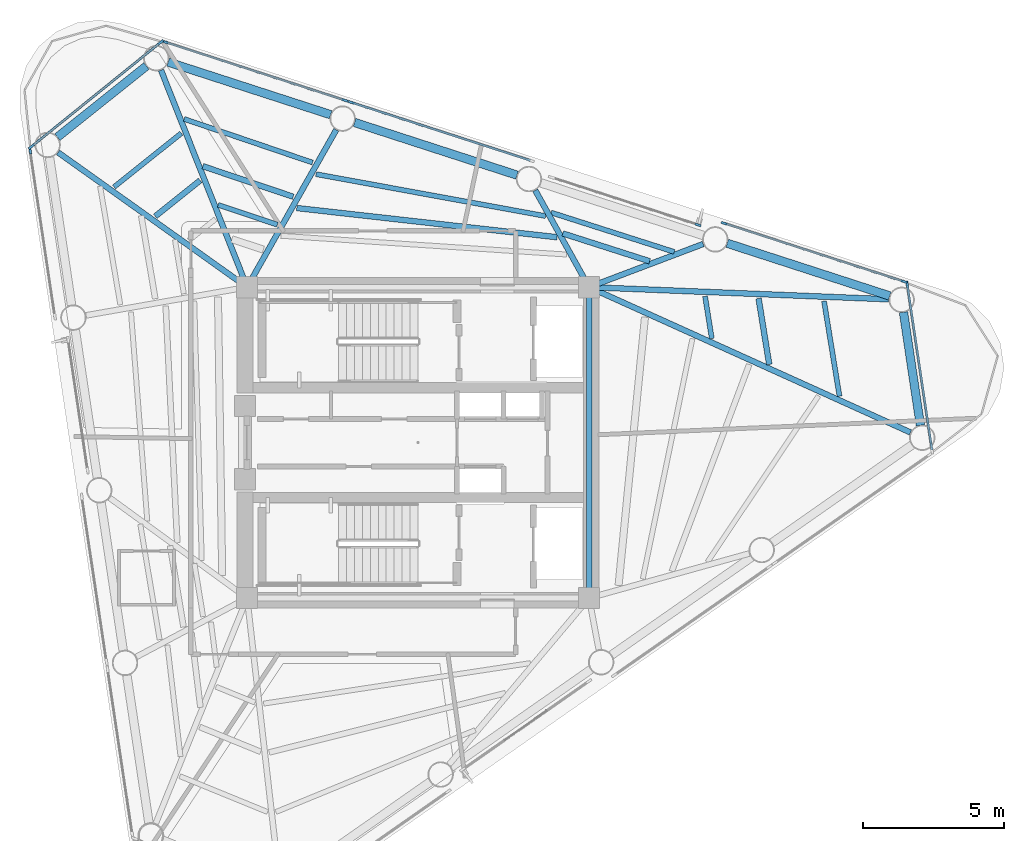
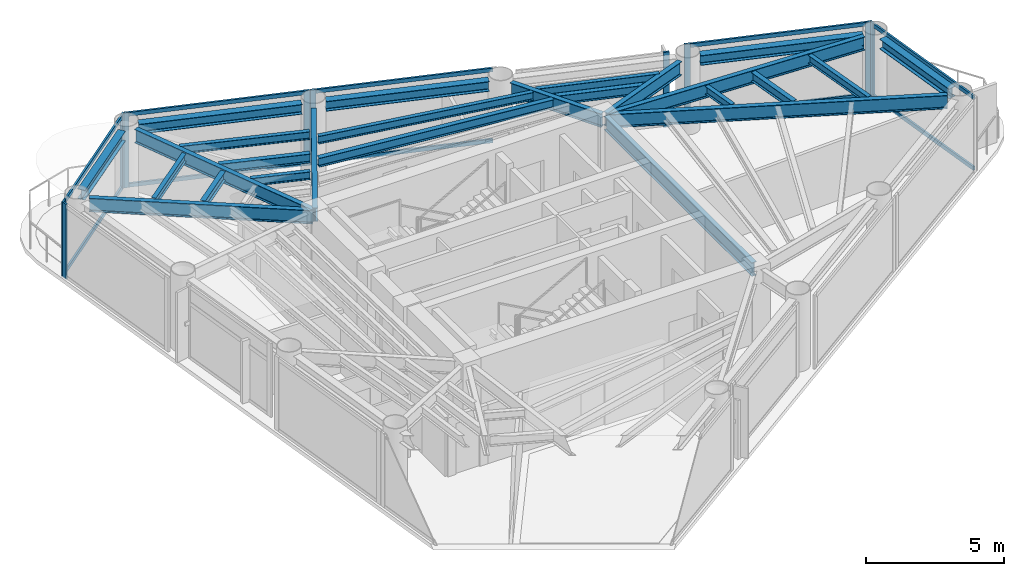
# One storey, part 3 of 10: 25 beams, 20 members, 7 elements without a shape of their own.
"""IFC4 building model written with IfcOpenShell, lengths in metres."""

from ifc_helpers import new_model, si_unit, direction, frame, origin, origin_2d, place, context, subcontext, project, spatial, rectangle, i_section, extrude, source, transform, mapped, material, layer, layer_set, material_profile, profile_set, type_object, element, aggregate, save


model = new_model("IFC4")

# Units and contexts
model_context = context("Model", 3, precision=1e-05, world=origin(), true_north=direction((0.0, 1.0)))
body_context = subcontext(model_context, "Body", "Model", "MODEL_VIEW")
ifc_project = project(units=[si_unit("LENGTHUNIT", "METRE"), si_unit("AREAUNIT", "SQUARE_METRE"), si_unit("VOLUMEUNIT", "CUBIC_METRE"), si_unit("PLANEANGLEUNIT", "RADIAN"), si_unit("MASSUNIT", "GRAM", prefix="KILO")], contexts=[model_context])

# Site, building, storey
site_placement = place(None, origin())
site = spatial("IfcSite", under=ifc_project, at=site_placement, CompositionType="ELEMENT")
building_placement = place(site_placement, origin())
building = spatial("IfcBuilding", under=site, at=building_placement, Name="Yunling Apex Tower", CompositionType="ELEMENT")
storey_placement = place(building_placement, frame((0.0, 0.0, 277.949951171875)))
storey = spatial("IfcBuildingStorey", under=building, at=storey_placement, Name="L68", CompositionType="ELEMENT", Elevation=277.949951171875)

# Beams
ifc_material_1 = material(Name="Steel Q355B", Category="steel")
ifc_material_profile_1 = material_profile(ifc_material_1, i_section(OverallWidth=0.199951171875, OverallDepth=0.60009765625, WebThickness=0.010986328125, FlangeThickness=0.01708984375, FilletRadius=0.02197265625, at=origin_2d()))
ifc_profile_set_1 = profile_set([ifc_material_profile_1], Name="Steel Q355B")
beam_type_1 = type_object("IfcBeamType", Name="BG-PRI-5", PredefinedType="USERDEFINED", material=ifc_profile_set_1)
shared_shape_1 = source(origin(), body_context, "Body", "SweptSolid", [
    extrude(i_section(OverallWidth=0.199951171875, OverallDepth=0.60009765625, WebThickness=0.010986328125, FlangeThickness=0.01708984375, FilletRadius=0.02197265625, at=origin_2d()), origin(), (0.0, 0.0, 1.0), 10.7001953125),
])
beam_1_placement = place(storey_placement, frame((6.050048828125, -5.35009765625, 2.920166015625), z_axis=(0.0, 1.0, 0.0), x_axis=(-1.0, 0.0, 0.0)))
element("IfcBeam", 1, at=beam_1_placement, inside=storey, type_object=beam_type_1, Name="L68 Core Ring Tie Beam 2", ObjectType="GIRDER", PredefinedType="USERDEFINED", context=body_context, shape_type="MappedRepresentation", body=[
    mapped(shared_shape_1, transform((0.0, 0.0, 0.0), scale=1.0)),
])
ifc_material_profile_2 = material_profile(ifc_material_1, i_section(OverallWidth=0.300048828125, OverallDepth=0.43994140625, WebThickness=0.010986328125, FlangeThickness=0.01806640625, FilletRadius=0.02197265625, at=origin_2d()))
ifc_profile_set_2 = profile_set([ifc_material_profile_2], Name="Steel Q355B")
beam_type_2 = type_object("IfcBeamType", Name="BP-SPN-3", PredefinedType="SPANDREL", material=ifc_profile_set_2)
shared_shape_2 = source(origin(), body_context, "Body", "SweptSolid", [
    extrude(i_section(OverallWidth=0.300048828125, OverallDepth=0.43994140625, WebThickness=0.010986328125, FlangeThickness=0.01806640625, FilletRadius=0.02197265625, at=origin_2d()), origin(), (0.0, 0.0, 1.0), 6.043701171875),
])
for number, where, z_axis, x_axis, name in (
    (2, (16.687744140625, 5.189208984375, 3.0), (-0.951260618597, 0.308388124782, 0.0), (-0.308388124782, -0.951260618597, 0.0), "L68 Perimeter Spandrel Beam 6"),
    (3, (3.5, 9.464111328125, 3.0), (-0.951264460229, 0.30837627455, 0.0), (-0.30837627455, -0.951264460229, 0.0), "L68 Perimeter Spandrel Beam 8"),
    (4, (-3.093994140625, 11.601806640625, 3.0), (-0.951276309474, 0.308339720167, 0.0), (-0.308339720167, -0.951276309474, 0.0), "L68 Perimeter Spandrel Beam 9"),
):
    element("IfcBeam", number, at=place(storey_placement, frame(where, z_axis=z_axis, x_axis=x_axis)), inside=storey, type_object=beam_type_2, Name=name, PredefinedType="SPANDREL", context=body_context, shape_type="MappedRepresentation", body=[
        mapped(shared_shape_2, transform((0.0, 0.0, 0.0), scale=1.0)),
    ])
shared_shape_3 = source(origin(), body_context, "Body", "SweptSolid", [
    extrude(i_section(OverallWidth=0.300048828125, OverallDepth=0.43994140625, WebThickness=0.010986328125, FlangeThickness=0.01806640625, FilletRadius=0.02197265625, at=origin_2d()), origin(), (0.0, 0.0, 1.0), 4.047607421875),
])
beam_2_placement = place(storey_placement, frame((17.774169921875, 0.610107421875, 3.0), z_axis=(-0.147836074483, 0.98901187813, 0.0), x_axis=(-0.98901187813, -0.147836074483, 0.0)))
element("IfcBeam", 5, at=beam_2_placement, inside=storey, type_object=beam_type_2, Name="L68 Perimeter Spandrel Beam 5", PredefinedType="SPANDREL", context=body_context, shape_type="MappedRepresentation", body=[
    mapped(shared_shape_3, transform((0.0, 0.0, 0.0), scale=1.0)),
])
shared_shape_4 = source(origin(), body_context, "Body", "SweptSolid", [
    extrude(i_section(OverallWidth=0.300048828125, OverallDepth=0.43994140625, WebThickness=0.010986328125, FlangeThickness=0.01806640625, FilletRadius=0.02197265625, at=origin_2d()), origin(), (0.0, 0.0, 1.0), 4.03125),
])
beam_3_placement = place(storey_placement, frame((-9.612548828125, 13.3251953125, 3.0), z_axis=(-0.781412081213, -0.624015351842, 0.0), x_axis=(0.624015351842, -0.781412081213, 0.0)))
element("IfcBeam", 6, at=beam_3_placement, inside=storey, type_object=beam_type_2, Name="L68 Perimeter Spandrel Beam 10", PredefinedType="SPANDREL", context=body_context, shape_type="MappedRepresentation", body=[
    mapped(shared_shape_4, transform((0.0, 0.0, 0.0), scale=1.0)),
])
shared_shape_5 = source(origin(), body_context, "Body", "SweptSolid", [
    extrude(i_section(OverallWidth=0.199951171875, OverallDepth=0.60009765625, WebThickness=0.010986328125, FlangeThickness=0.01708984375, FilletRadius=0.02197265625, at=origin_2d()), origin(), (0.0, 0.0, 1.0), 12.400146484375),
])
beam_4_placement = place(storey_placement, frame((17.42236328125, 0.359619140625, 2.920166015625), z_axis=(-0.911237617223, 0.411881056809, 0.0), x_axis=(-0.411881056809, -0.911237617223, 0.0)))
element("IfcBeam", 7, at=beam_4_placement, inside=storey, type_object=beam_type_1, Name="L68 Radial Primary Girder R05", ObjectType="GIRDER", PredefinedType="USERDEFINED", context=body_context, shape_type="MappedRepresentation", body=[
    mapped(shared_shape_5, transform((0.0, 0.0, 0.0), scale=1.0)),
])
shared_shape_6 = source(origin(), body_context, "Body", "SweptSolid", [
    extrude(i_section(OverallWidth=0.199951171875, OverallDepth=0.60009765625, WebThickness=0.010986328125, FlangeThickness=0.01708984375, FilletRadius=0.02197265625, at=origin_2d()), origin(), (0.0, 0.0, 1.0), 10.53125),
])
beam_5_placement = place(storey_placement, frame((16.652587890625, 5.07080078125, 2.920166015625), z_axis=(-0.99918143594, 0.040453158992, 0.0), x_axis=(-0.040453158992, -0.99918143594, 0.0)))
element("IfcBeam", 8, at=beam_5_placement, inside=storey, type_object=beam_type_1, Name="L68 Radial Primary Girder R06", ObjectType="GIRDER", PredefinedType="USERDEFINED", context=body_context, shape_type="MappedRepresentation", body=[
    mapped(shared_shape_6, transform((0.0, 0.0, 0.0), scale=1.0)),
])
shared_shape_7 = source(origin(), body_context, "Body", "SweptSolid", [
    extrude(i_section(OverallWidth=0.199951171875, OverallDepth=0.60009765625, WebThickness=0.010986328125, FlangeThickness=0.01708984375, FilletRadius=0.02197265625, at=origin_2d()), origin(), (0.0, 0.0, 1.0), 4.2373046875),
])
beam_6_placement = place(storey_placement, frame((10.087890625, 7.02783203125, 2.920166015625), z_axis=(-0.935290380754, -0.353881199938, 0.0), x_axis=(0.353881199938, -0.935290380754, 0.0)))
element("IfcBeam", 9, at=beam_6_placement, inside=storey, type_object=beam_type_1, Name="L68 Radial Primary Girder R07", ObjectType="GIRDER", PredefinedType="USERDEFINED", context=body_context, shape_type="MappedRepresentation", body=[
    mapped(shared_shape_7, transform((0.0, 0.0, 0.0), scale=1.0)),
])
shared_shape_8 = source(origin(), body_context, "Body", "SweptSolid", [
    extrude(i_section(OverallWidth=0.199951171875, OverallDepth=0.60009765625, WebThickness=0.010986328125, FlangeThickness=0.01708984375, FilletRadius=0.02197265625, at=origin_2d()), origin(), (0.0, 0.0, 1.0), 3.841064453125),
])
beam_7_placement = place(storey_placement, frame((4.144775390625, 8.927001953125, 2.920166015625), z_axis=(0.485864181632, -0.874034322557, 0.0), x_axis=(0.874034322557, 0.485864181632, 0.0)))
element("IfcBeam", 10, at=beam_7_placement, inside=storey, type_object=beam_type_1, Name="L68 Radial Primary Girder R08", ObjectType="GIRDER", PredefinedType="USERDEFINED", context=body_context, shape_type="MappedRepresentation", body=[
    mapped(shared_shape_8, transform((0.0, 0.0, 0.0), scale=1.0)),
])
shared_shape_9 = source(origin(), body_context, "Body", "SweptSolid", [
    extrude(i_section(OverallWidth=0.199951171875, OverallDepth=0.60009765625, WebThickness=0.010986328125, FlangeThickness=0.01708984375, FilletRadius=0.02197265625, at=origin_2d()), origin(), (0.0, 0.0, 1.0), 6.317138671875),
])
beam_8_placement = place(storey_placement, frame((-2.8974609375, 11.06640625, 2.920166015625), z_axis=(-0.492793153417, -0.870146486487, 0.0), x_axis=(0.870146486487, -0.492793153417, 0.0)))
element("IfcBeam", 11, at=beam_8_placement, inside=storey, type_object=beam_type_1, Name="L68 Radial Primary Girder R09", ObjectType="GIRDER", PredefinedType="USERDEFINED", context=body_context, shape_type="MappedRepresentation", body=[
    mapped(shared_shape_9, transform((0.0, 0.0, 0.0), scale=1.0)),
])
shared_shape_10 = source(origin(), body_context, "Body", "SweptSolid", [
    extrude(i_section(OverallWidth=0.199951171875, OverallDepth=0.60009765625, WebThickness=0.010986328125, FlangeThickness=0.01708984375, FilletRadius=0.02197265625, at=origin_2d()), origin(), (0.0, 0.0, 1.0), 8.178955078125),
])
beam_9_placement = place(storey_placement, frame((-9.0966796875, 13.176513671875, 2.920166015625), z_axis=(0.368888092437, -0.929473816338, 0.0), x_axis=(0.929473816338, 0.368888092437, 0.0)))
element("IfcBeam", 12, at=beam_9_placement, inside=storey, type_object=beam_type_1, Name="L68 Radial Primary Girder R10", ObjectType="GIRDER", PredefinedType="USERDEFINED", context=body_context, shape_type="MappedRepresentation", body=[
    mapped(shared_shape_10, transform((0.0, 0.0, 0.0), scale=1.0)),
])
shared_shape_11 = source(origin(), body_context, "Body", "SweptSolid", [
    extrude(i_section(OverallWidth=0.199951171875, OverallDepth=0.60009765625, WebThickness=0.010986328125, FlangeThickness=0.01708984375, FilletRadius=0.02197265625, at=origin_2d()), origin(), (0.0, 0.0, 1.0), 8.132080078125),
])
beam_10_placement = place(storey_placement, frame((-12.73681640625, 10.2666015625, 2.920166015625), z_axis=(0.814294994921, -0.580451256564, 0.0), x_axis=(0.580451256564, 0.814294994921, 0.0)))
element("IfcBeam", 13, at=beam_10_placement, inside=storey, type_object=beam_type_1, Name="L68 Radial Primary Girder R11", ObjectType="GIRDER", PredefinedType="USERDEFINED", context=body_context, shape_type="MappedRepresentation", body=[
    mapped(shared_shape_11, transform((0.0, 0.0, 0.0), scale=1.0)),
])
ifc_material_profile_3 = material_profile(ifc_material_1, i_section(OverallWidth=0.199951171875, OverallDepth=0.39990234375, WebThickness=0.008056640625, FlangeThickness=0.012939453125, FilletRadius=0.01611328125, at=origin_2d()))
ifc_profile_set_3 = profile_set([ifc_material_profile_3], Name="Steel Q355B")
beam_type_3 = type_object("IfcBeamType", Name="BS-SEC-4", PredefinedType="BEAM", material=ifc_profile_set_3)
shared_shape_12 = source(origin(), body_context, "Body", "SweptSolid", [
    extrude(i_section(OverallWidth=0.199951171875, OverallDepth=0.39990234375, WebThickness=0.008056640625, FlangeThickness=0.012939453125, FilletRadius=0.01611328125, at=origin_2d()), origin(), (0.0, 0.0, 1.0), 2.36572265625),
])
beam_11_placement = place(storey_placement, frame((12.425048828125, 2.764892578125, 3.02001953125), z_axis=(-0.159342756426, 0.987223321227, 0.0), x_axis=(-0.987223321227, -0.159342756426, 0.0)))
element("IfcBeam", 14, at=beam_11_placement, inside=storey, type_object=beam_type_3, Name="L68 Composite Floor Beam BS-5", PredefinedType="BEAM", context=body_context, shape_type="MappedRepresentation", body=[
    mapped(shared_shape_12, transform((0.0, 0.0, 0.0), scale=1.0)),
])
ifc_material_profile_4 = material_profile(ifc_material_1, i_section(OverallWidth=0.175048828125, OverallDepth=0.35009765625, WebThickness=0.007080078125, FlangeThickness=0.010986328125, FilletRadius=0.013916015625, at=origin_2d()))
ifc_profile_set_4 = profile_set([ifc_material_profile_4], Name="Steel Q355B")
beam_type_4 = type_object("IfcBeamType", Name="BJ-JST-1", PredefinedType="JOIST", material=ifc_profile_set_4)
shared_shape_13 = source(origin(), body_context, "Body", "SweptSolid", [
    extrude(i_section(OverallWidth=0.175048828125, OverallDepth=0.35009765625, WebThickness=0.007080078125, FlangeThickness=0.010986328125, FilletRadius=0.013916015625, at=origin_2d()), origin(), (0.0, 0.0, 1.0), 3.40966796875),
])
beam_12_placement = place(storey_placement, frame((14.910888671875, 1.64111328125, 3.045166015625), z_axis=(-0.160600982695, 0.987019414377, 0.0), x_axis=(-0.987019414377, -0.160600982695, 0.0)))
element("IfcBeam", 15, at=beam_12_placement, inside=storey, type_object=beam_type_4, Name="L68 Composite Floor Joist BJ1-5", PredefinedType="JOIST", context=body_context, shape_type="MappedRepresentation", body=[
    mapped(shared_shape_13, transform((0.0, 0.0, 0.0), scale=1.0)),
])
shared_shape_14 = source(origin(), body_context, "Body", "SweptSolid", [
    extrude(i_section(OverallWidth=0.175048828125, OverallDepth=0.35009765625, WebThickness=0.007080078125, FlangeThickness=0.010986328125, FilletRadius=0.013916015625, at=origin_2d()), origin(), (0.0, 0.0, 1.0), 1.51171875),
])
beam_13_placement = place(storey_placement, frame((10.3916015625, 3.68408203125, 3.045166015625), z_axis=(-0.157297614413, 0.987551244493, 0.0), x_axis=(-0.987551244493, -0.157297614413, 0.0)))
element("IfcBeam", 16, at=beam_13_placement, inside=storey, type_object=beam_type_4, Name="L68 Composite Floor Joist BJ3-5", PredefinedType="JOIST", context=body_context, shape_type="MappedRepresentation", body=[
    mapped(shared_shape_14, transform((0.0, 0.0, 0.0), scale=1.0)),
])
shared_shape_15 = source(origin(), body_context, "Body", "SweptSolid", [
    extrude(i_section(OverallWidth=0.199951171875, OverallDepth=0.39990234375, WebThickness=0.008056640625, FlangeThickness=0.012939453125, FilletRadius=0.01611328125, at=origin_2d()), origin(), (0.0, 0.0, 1.0), 3.22705078125),
])
beam_14_placement = place(storey_placement, frame((8.191650390625, 6.416748046875, 3.02001953125), z_axis=(-0.952339781695, 0.305039243708, 0.0), x_axis=(-0.305039243708, -0.952339781695, 0.0)))
element("IfcBeam", 17, at=beam_14_placement, inside=storey, type_object=beam_type_3, Name="L68 Composite Floor Beam BS-7", PredefinedType="BEAM", context=body_context, shape_type="MappedRepresentation", body=[
    mapped(shared_shape_15, transform((0.0, 0.0, 0.0), scale=1.0)),
])
shared_shape_16 = source(origin(), body_context, "Body", "SweptSolid", [
    extrude(i_section(OverallWidth=0.175048828125, OverallDepth=0.35009765625, WebThickness=0.007080078125, FlangeThickness=0.010986328125, FilletRadius=0.013916015625, at=origin_2d()), origin(), (0.0, 0.0, 1.0), 4.572998046875),
])
beam_15_placement = place(storey_placement, frame((9.0634765625, 6.74658203125, 3.045166015625), z_axis=(-0.952472485452, 0.304624628776, 0.0), x_axis=(-0.304624628776, -0.952472485452, 0.0)))
element("IfcBeam", 18, at=beam_15_placement, inside=storey, type_object=beam_type_4, Name="L68 Composite Floor Joist BJ1-7", PredefinedType="JOIST", context=body_context, shape_type="MappedRepresentation", body=[
    mapped(shared_shape_16, transform((0.0, 0.0, 0.0), scale=1.0)),
])
shared_shape_17 = source(origin(), body_context, "Body", "SweptSolid", [
    extrude(i_section(OverallWidth=0.199951171875, OverallDepth=0.39990234375, WebThickness=0.008056640625, FlangeThickness=0.012939453125, FilletRadius=0.01611328125, at=origin_2d()), origin(), (0.0, 0.0, 1.0), 9.271728515625),
])
beam_16_placement = place(storey_placement, frame((4.9189453125, 7.266357421875, 3.02001953125), z_axis=(-0.993765641634, 0.111489234941, 0.0), x_axis=(-0.111489234941, -0.993765641634, 0.0)))
element("IfcBeam", 19, at=beam_16_placement, inside=storey, type_object=beam_type_3, Name="L68 Composite Floor Beam BS-8", PredefinedType="BEAM", context=body_context, shape_type="MappedRepresentation", body=[
    mapped(shared_shape_17, transform((0.0, 0.0, 0.0), scale=1.0)),
])
shared_shape_18 = source(origin(), body_context, "Body", "SweptSolid", [
    extrude(i_section(OverallWidth=0.175048828125, OverallDepth=0.35009765625, WebThickness=0.007080078125, FlangeThickness=0.010986328125, FilletRadius=0.013916015625, at=origin_2d()), origin(), (0.0, 0.0, 1.0), 8.256103515625),
])
beam_17_placement = place(storey_placement, frame((4.510009765625, 8.015625, 3.045166015625), z_axis=(-0.983737162393, 0.179614017626, 0.0), x_axis=(-0.179614017626, -0.983737162393, 0.0)))
element("IfcBeam", 20, at=beam_17_placement, inside=storey, type_object=beam_type_4, Name="L68 Composite Floor Joist BJ1-8", PredefinedType="JOIST", context=body_context, shape_type="MappedRepresentation", body=[
    mapped(shared_shape_18, transform((0.0, 0.0, 0.0), scale=1.0)),
])
shared_shape_19 = source(origin(), body_context, "Body", "SweptSolid", [
    extrude(i_section(OverallWidth=0.199951171875, OverallDepth=0.39990234375, WebThickness=0.008056640625, FlangeThickness=0.012939453125, FilletRadius=0.01611328125, at=origin_2d()), origin(), (0.0, 0.0, 1.0), 3.37646484375),
])
beam_18_placement = place(storey_placement, frame((-4.418701171875, 8.698974609375, 3.02001953125), z_axis=(-0.947337172377, 0.320237851966, 0.0), x_axis=(-0.320237851966, -0.947337172377, 0.0)))
element("IfcBeam", 21, at=beam_18_placement, inside=storey, type_object=beam_type_3, Name="L68 Composite Floor Beam BS-9", PredefinedType="BEAM", context=body_context, shape_type="MappedRepresentation", body=[
    mapped(shared_shape_19, transform((0.0, 0.0, 0.0), scale=1.0)),
])
shared_shape_20 = source(origin(), body_context, "Body", "SweptSolid", [
    extrude(i_section(OverallWidth=0.175048828125, OverallDepth=0.35009765625, WebThickness=0.007080078125, FlangeThickness=0.010986328125, FilletRadius=0.013916015625, at=origin_2d()), origin(), (0.0, 0.0, 1.0), 4.802490234375),
])
beam_19_placement = place(storey_placement, frame((-3.73388671875, 9.908447265625, 3.045166015625), z_axis=(-0.946894147211, 0.32154544621, 0.0), x_axis=(-0.32154544621, -0.946894147211, 0.0)))
element("IfcBeam", 22, at=beam_19_placement, inside=storey, type_object=beam_type_4, Name="L68 Composite Floor Joist BJ1-9", PredefinedType="JOIST", context=body_context, shape_type="MappedRepresentation", body=[
    mapped(shared_shape_20, transform((0.0, 0.0, 0.0), scale=1.0)),
])
shared_shape_21 = source(origin(), body_context, "Body", "SweptSolid", [
    extrude(i_section(OverallWidth=0.175048828125, OverallDepth=0.35009765625, WebThickness=0.007080078125, FlangeThickness=0.010986328125, FilletRadius=0.013916015625, at=origin_2d()), origin(), (0.0, 0.0, 1.0), 2.209716796875),
])
beam_20_placement = place(storey_placement, frame((-4.979248046875, 7.709228515625, 3.045166015625), z_axis=(-0.948029450248, 0.318182591389, 0.0), x_axis=(-0.318182591389, -0.948029450248, 0.0)))
element("IfcBeam", 23, at=beam_20_placement, inside=storey, type_object=beam_type_4, Name="L68 Composite Floor Joist BJ3-9", PredefinedType="JOIST", context=body_context, shape_type="MappedRepresentation", body=[
    mapped(shared_shape_21, transform((0.0, 0.0, 0.0), scale=1.0)),
])
shared_shape_22 = source(origin(), body_context, "Body", "SweptSolid", [
    extrude(i_section(OverallWidth=0.199951171875, OverallDepth=0.39990234375, WebThickness=0.008056640625, FlangeThickness=0.012939453125, FilletRadius=0.01611328125, at=origin_2d()), origin(), (0.0, 0.0, 1.0), 2.032958984375),
])
beam_21_placement = place(storey_placement, frame((-7.712890625, 9.275634765625, 3.02001953125), z_axis=(-0.781161617118, -0.624328862013, 0.0), x_axis=(0.624328862013, -0.781161617118, 0.0)))
element("IfcBeam", 24, at=beam_21_placement, inside=storey, type_object=beam_type_3, Name="L68 Composite Floor Beam BS-10", PredefinedType="BEAM", context=body_context, shape_type="MappedRepresentation", body=[
    mapped(shared_shape_22, transform((0.0, 0.0, 0.0), scale=1.0)),
])
shared_shape_23 = source(origin(), body_context, "Body", "SweptSolid", [
    extrude(i_section(OverallWidth=0.175048828125, OverallDepth=0.35009765625, WebThickness=0.007080078125, FlangeThickness=0.010986328125, FilletRadius=0.013916015625, at=origin_2d()), origin(), (0.0, 0.0, 1.0), 3.048095703125),
])
beam_22_placement = place(storey_placement, frame((-8.376708984375, 10.947998046875, 3.045166015625), z_axis=(-0.78115784601, -0.624333580401, 0.0), x_axis=(0.624333580401, -0.78115784601, 0.0)))
element("IfcBeam", 25, at=beam_22_placement, inside=storey, type_object=beam_type_4, Name="L68 Composite Floor Joist BJ1-10", PredefinedType="JOIST", context=body_context, shape_type="MappedRepresentation", body=[
    mapped(shared_shape_23, transform((0.0, 0.0, 0.0), scale=1.0)),
])

# Curtain wall, member
ifc_material_2 = material(Name="Bronze anodised aluminium", Category="aluminium")
ifc_layer = layer(ifc_material_2, 0.219970703125)
ifc_layer_set = layer_set([ifc_layer], Name="Bronze anodised aluminium")
curtain_wall_type = type_object("IfcCurtainWallType", Name="CW-SYS-4", PredefinedType="NOTDEFINED", material=ifc_layer_set)
curtain_wall_1_placement = place(storey_placement, origin())
curtain_wall_1 = element("IfcCurtainWall", 26, at=curtain_wall_1_placement, inside=storey, type_object=curtain_wall_type, Name="CW-L68-CRN1", PredefinedType="NOTDEFINED")
ifc_material_profile_5 = material_profile(ifc_material_2, rectangle(XDim=0.080078125, YDim=0.219970703125, at=origin_2d()))
ifc_profile_set_5 = profile_set([ifc_material_profile_5], Name="Bronze anodised aluminium")
member_type_1 = type_object("IfcMemberType", Name="CW-MUL-4", PredefinedType="MULLION", material=ifc_profile_set_5)
shared_shape_24 = source(origin(), body_context, "Body", "SweptSolid", [
    extrude(rectangle(XDim=0.080078125, YDim=0.219970703125, at=origin_2d()), origin(), (0.0, 0.0, 1.0), 3.320068359375),
])
member_1_placement = place(storey_placement, frame((17.307373046875, 5.6025390625, -0.050048828125), z_axis=(0.0, 0.0, 1.0), x_axis=(-0.989016885218, -0.147802573571, 0.0)))
member_1 = element("IfcMember", 27, at=member_1_placement, type_object=member_type_1, Name="CW-SYS-4 mullion 2", PredefinedType="MULLION", context=body_context, shape_type="MappedRepresentation", body=[
    mapped(shared_shape_24, transform((0.0, 0.0, 0.0), scale=1.0)),
])

# Curtain wall, members
curtain_wall_2_placement = place(storey_placement, origin())
curtain_wall_2 = element("IfcCurtainWall", 28, at=curtain_wall_2_placement, inside=storey, type_object=curtain_wall_type, Name="CW-L68-F2-B1", PredefinedType="NOTDEFINED")
member_2_placement = place(storey_placement, frame((17.193359375, 5.6982421875, -0.050048828125), z_axis=(0.0, 0.0, 1.0), x_axis=(-0.308353381834, -0.951271881173, 0.0)))
member_2 = element("IfcMember", 29, at=member_2_placement, type_object=member_type_1, Name="CW-SYS-4 mullion 1", PredefinedType="MULLION", context=body_context, shape_type="MappedRepresentation", body=[
    mapped(shared_shape_24, transform((0.0, 0.0, 0.0), scale=1.0)),
])
member_3_placement = place(storey_placement, frame((10.82763671875, 7.76171875, -0.050048828125), z_axis=(0.0, 0.0, 1.0), x_axis=(-0.308353381834, -0.951271881173, 0.0)))
member_3 = element("IfcMember", 30, at=member_3_placement, type_object=member_type_1, Name="CW-SYS-4 mullion 2", PredefinedType="MULLION", context=body_context, shape_type="MappedRepresentation", body=[
    mapped(shared_shape_24, transform((0.0, 0.0, 0.0), scale=1.0)),
])

# Curtain wall, member
curtain_wall_3_placement = place(storey_placement, origin())
curtain_wall_3 = element("IfcCurtainWall", 31, at=curtain_wall_3_placement, inside=storey, type_object=curtain_wall_type, Name="CW-L68-F2-B2", PredefinedType="NOTDEFINED")
member_4_placement = place(storey_placement, frame((9.90478515625, 7.703369140625, -0.050048828125), z_axis=(0.0, 0.0, 1.0), x_axis=(-0.30836941685, -0.951266683297, 0.0)))
member_4 = element("IfcMember", 32, at=member_4_placement, type_object=member_type_1, Name="CW-SYS-4 mullion 1", PredefinedType="MULLION", context=body_context, shape_type="MappedRepresentation", body=[
    mapped(shared_shape_24, transform((0.0, 0.0, 0.0), scale=1.0)),
])
aggregate(curtain_wall_3, [member_4])

curtain_wall_4_placement = place(storey_placement, origin())
curtain_wall_4 = element("IfcCurtainWall", 33, at=curtain_wall_4_placement, inside=storey, type_object=curtain_wall_type, Name="CW-L68-F2-B3", PredefinedType="NOTDEFINED")
member_5_placement = place(storey_placement, frame((-2.360107421875, 12.03662109375, -0.050048828125), z_axis=(0.0, 0.0, 1.0), x_axis=(-0.308371076658, -0.95126614524, 0.0)))
member_5 = element("IfcMember", 34, at=member_5_placement, type_object=member_type_1, Name="CW-SYS-4 mullion 2", PredefinedType="MULLION", context=body_context, shape_type="MappedRepresentation", body=[
    mapped(shared_shape_24, transform((0.0, 0.0, 0.0), scale=1.0)),
])

# Curtain wall, members
curtain_wall_5_placement = place(storey_placement, origin())
curtain_wall_5 = element("IfcCurtainWall", 35, at=curtain_wall_5_placement, inside=storey, type_object=curtain_wall_type, Name="CW-L68-F2-B4", PredefinedType="NOTDEFINED")
member_6_placement = place(storey_placement, frame((-2.58837890625, 12.110595703125, -0.050048828125), z_axis=(0.0, 0.0, 1.0), x_axis=(-0.308353381834, -0.951271881173, 0.0)))
member_6 = element("IfcMember", 36, at=member_6_placement, type_object=member_type_1, Name="CW-SYS-4 mullion 1", PredefinedType="MULLION", context=body_context, shape_type="MappedRepresentation", body=[
    mapped(shared_shape_24, transform((0.0, 0.0, 0.0), scale=1.0)),
])
member_7_placement = place(storey_placement, frame((-8.9541015625, 14.174072265625, -0.050048828125), z_axis=(0.0, 0.0, 1.0), x_axis=(-0.308353381834, -0.951271881173, 0.0)))
member_7 = element("IfcMember", 37, at=member_7_placement, type_object=member_type_1, Name="CW-SYS-4 mullion 2", PredefinedType="MULLION", context=body_context, shape_type="MappedRepresentation", body=[
    mapped(shared_shape_24, transform((0.0, 0.0, 0.0), scale=1.0)),
])

curtain_wall_6_placement = place(storey_placement, origin())
curtain_wall_6 = element("IfcCurtainWall", 38, at=curtain_wall_6_placement, inside=storey, type_object=curtain_wall_type, Name="CW-L68-CRN2", PredefinedType="NOTDEFINED")
member_8_placement = place(storey_placement, frame((-9.10546875, 14.1669921875, -0.050048828125), z_axis=(0.0, 0.0, 1.0), x_axis=(0.627988675266, -0.778222477019, 0.0)))
member_8 = element("IfcMember", 39, at=member_8_placement, type_object=member_type_1, Name="CW-SYS-4 mullion 1", PredefinedType="MULLION", context=body_context, shape_type="MappedRepresentation", body=[
    mapped(shared_shape_24, transform((0.0, 0.0, 0.0), scale=1.0)),
])
member_9_placement = place(storey_placement, frame((-13.69189453125, 10.4658203125, -0.050048828125), z_axis=(0.0, 0.0, 1.0), x_axis=(0.627988675266, -0.778222477019, 0.0)))
member_9 = element("IfcMember", 40, at=member_9_placement, type_object=member_type_1, Name="CW-SYS-4 mullion 2", PredefinedType="MULLION", context=body_context, shape_type="MappedRepresentation", body=[
    mapped(shared_shape_24, transform((0.0, 0.0, 0.0), scale=1.0)),
])

# Curtain wall, member
curtain_wall_7_placement = place(storey_placement, origin())
curtain_wall_7 = element("IfcCurtainWall", 41, at=curtain_wall_7_placement, inside=storey, type_object=curtain_wall_type, Name="CW-L68-F3-B1", PredefinedType="NOTDEFINED")
member_10_placement = place(storey_placement, frame((-13.72509765625, 10.3193359375, -0.050048828125), z_axis=(0.0, 0.0, 1.0), x_axis=(0.989016174309, 0.147807330522, 0.0)))
member_10 = element("IfcMember", 42, at=member_10_placement, type_object=member_type_1, Name="CW-SYS-4 mullion 1", PredefinedType="MULLION", context=body_context, shape_type="MappedRepresentation", body=[
    mapped(shared_shape_24, transform((0.0, 0.0, 0.0), scale=1.0)),
])
aggregate(curtain_wall_7, [member_10])

# Member
ifc_material_profile_6 = material_profile(ifc_material_2, rectangle(XDim=0.080078125, YDim=0.169921875, at=origin_2d()))
ifc_profile_set_6 = profile_set([ifc_material_profile_6], Name="Bronze anodised aluminium")
member_type_2 = type_object("IfcMemberType", Name="CW-TRN-4", PredefinedType="USERDEFINED", material=ifc_profile_set_6)
shared_shape_25 = source(origin(), body_context, "Body", "SweptSolid", [
    extrude(rectangle(XDim=0.080078125, YDim=0.169921875, at=origin_2d()), origin(), (0.0, 0.0, 1.0), 6.61962890625),
])
member_11_placement = place(storey_placement, frame((-2.622802734375, 12.121826171875, 0.0400390625), z_axis=(-0.951269317575, 0.308361290437, 0.0), x_axis=(-0.308361290437, -0.951269317575, 0.0)))
member_11 = element("IfcMember", 43, at=member_11_placement, type_object=member_type_2, Name="CW-SYS-4 transom 1.1", ObjectType="TRANSOM", PredefinedType="USERDEFINED", context=body_context, shape_type="MappedRepresentation", body=[
    mapped(shared_shape_25, transform((0.0, 0.0, 0.0), scale=1.0)),
])

member_12_placement = place(storey_placement, frame((-2.622802734375, 12.121826171875, 3.179931640625), z_axis=(-0.951269317575, 0.308361290437, 0.0), x_axis=(-0.308361290437, -0.951269317575, 0.0)))
member_12 = element("IfcMember", 44, at=member_12_placement, type_object=member_type_2, Name="CW-SYS-4 transom 1.2", ObjectType="TRANSOM", PredefinedType="USERDEFINED", context=body_context, shape_type="MappedRepresentation", body=[
    mapped(shared_shape_25, transform((0.0, 0.0, 0.0), scale=1.0)),
])

aggregate(curtain_wall_5, [member_6, member_7, member_11, member_12])

shared_shape_26 = source(origin(), body_context, "Body", "SweptSolid", [
    extrude(rectangle(XDim=0.080078125, YDim=0.169921875, at=origin_2d()), origin(), (0.0, 0.0, 1.0), 6.619873046875),
])
member_13_placement = place(storey_placement, frame((17.1591796875, 5.709228515625, 0.0400390625), z_axis=(-0.951272824274, 0.308350472348, 0.0), x_axis=(-0.308350472348, -0.951272824274, 0.0)))
member_13 = element("IfcMember", 45, at=member_13_placement, type_object=member_type_2, Name="CW-SYS-4 transom 1.1", ObjectType="TRANSOM", PredefinedType="USERDEFINED", context=body_context, shape_type="MappedRepresentation", body=[
    mapped(shared_shape_26, transform((0.0, 0.0, 0.0), scale=1.0)),
])

member_14_placement = place(storey_placement, frame((17.1591796875, 5.709228515625, 3.179931640625), z_axis=(-0.951272824274, 0.308350472348, 0.0), x_axis=(-0.308350472348, -0.951272824274, 0.0)))
member_14 = element("IfcMember", 46, at=member_14_placement, type_object=member_type_2, Name="CW-SYS-4 transom 1.2", ObjectType="TRANSOM", PredefinedType="USERDEFINED", context=body_context, shape_type="MappedRepresentation", body=[
    mapped(shared_shape_26, transform((0.0, 0.0, 0.0), scale=1.0)),
])

aggregate(curtain_wall_2, [member_2, member_3, member_13, member_14])

member_15_placement = place(storey_placement, frame((3.97119140625, 9.984130859375, 0.0400390625), z_axis=(-0.951258498664, 0.308394663895, 0.0), x_axis=(-0.308394663895, -0.951258498664, 0.0)))
member_15 = element("IfcMember", 47, at=member_15_placement, type_object=member_type_2, Name="CW-SYS-4 transom 1.1", ObjectType="TRANSOM", PredefinedType="USERDEFINED", context=body_context, shape_type="MappedRepresentation", body=[
    mapped(shared_shape_26, transform((0.0, 0.0, 0.0), scale=1.0)),
])

member_16_placement = place(storey_placement, frame((3.97119140625, 9.984130859375, 3.179931640625), z_axis=(-0.951258498664, 0.308394663895, 0.0), x_axis=(-0.308394663895, -0.951258498664, 0.0)))
member_16 = element("IfcMember", 48, at=member_16_placement, type_object=member_type_2, Name="CW-SYS-4 transom 1.2", ObjectType="TRANSOM", PredefinedType="USERDEFINED", context=body_context, shape_type="MappedRepresentation", body=[
    mapped(shared_shape_26, transform((0.0, 0.0, 0.0), scale=1.0)),
])

aggregate(curtain_wall_4, [member_5, member_15, member_16])

shared_shape_27 = source(origin(), body_context, "Body", "SweptSolid", [
    extrude(rectangle(XDim=0.080078125, YDim=0.169921875, at=origin_2d()), origin(), (0.0, 0.0, 1.0), 5.89404296875),
])
member_17_placement = place(storey_placement, frame((18.183837890625, -0.26220703125, 0.0400390625), z_axis=(-0.147791520702, 0.989018536939, 0.0), x_axis=(-0.989018536939, -0.147791520702, 0.0)))
member_17 = element("IfcMember", 49, at=member_17_placement, type_object=member_type_2, Name="CW-SYS-4 transom 1.1", ObjectType="TRANSOM", PredefinedType="USERDEFINED", context=body_context, shape_type="MappedRepresentation", body=[
    mapped(shared_shape_27, transform((0.0, 0.0, 0.0), scale=1.0)),
])

member_18_placement = place(storey_placement, frame((18.183837890625, -0.26220703125, 3.179931640625), z_axis=(-0.147791520702, 0.989018536939, 0.0), x_axis=(-0.989018536939, -0.147791520702, 0.0)))
member_18 = element("IfcMember", 50, at=member_18_placement, type_object=member_type_2, Name="CW-SYS-4 transom 1.2", ObjectType="TRANSOM", PredefinedType="USERDEFINED", context=body_context, shape_type="MappedRepresentation", body=[
    mapped(shared_shape_27, transform((0.0, 0.0, 0.0), scale=1.0)),
])

aggregate(curtain_wall_1, [member_1, member_17, member_18])

shared_shape_28 = source(origin(), body_context, "Body", "SweptSolid", [
    extrude(rectangle(XDim=0.080078125, YDim=0.169921875, at=origin_2d()), origin(), (0.0, 0.0, 1.0), 5.8212890625),
])
member_19_placement = place(storey_placement, frame((-9.133544921875, 14.144287109375, 0.0400390625), z_axis=(-0.778218644613, -0.627993424469, 0.0), x_axis=(0.627993424469, -0.778218644613, 0.0)))
member_19 = element("IfcMember", 51, at=member_19_placement, type_object=member_type_2, Name="CW-SYS-4 transom 1.1", ObjectType="TRANSOM", PredefinedType="USERDEFINED", context=body_context, shape_type="MappedRepresentation", body=[
    mapped(shared_shape_28, transform((0.0, 0.0, 0.0), scale=1.0)),
])

member_20_placement = place(storey_placement, frame((-9.133544921875, 14.144287109375, 3.179931640625), z_axis=(-0.778218644613, -0.627993424469, 0.0), x_axis=(0.627993424469, -0.778218644613, 0.0)))
member_20 = element("IfcMember", 52, at=member_20_placement, type_object=member_type_2, Name="CW-SYS-4 transom 1.2", ObjectType="TRANSOM", PredefinedType="USERDEFINED", context=body_context, shape_type="MappedRepresentation", body=[
    mapped(shared_shape_28, transform((0.0, 0.0, 0.0), scale=1.0)),
])

aggregate(curtain_wall_6, [member_8, member_9, member_19, member_20])

save(model, "model.ifc")
